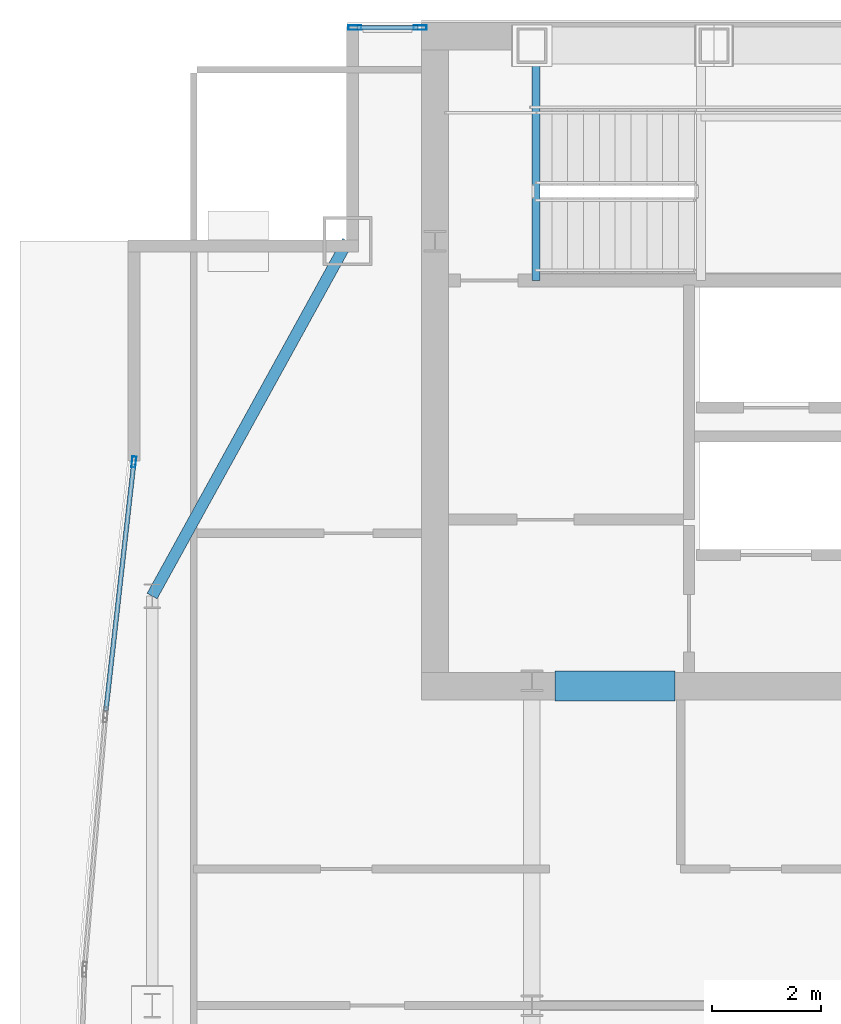
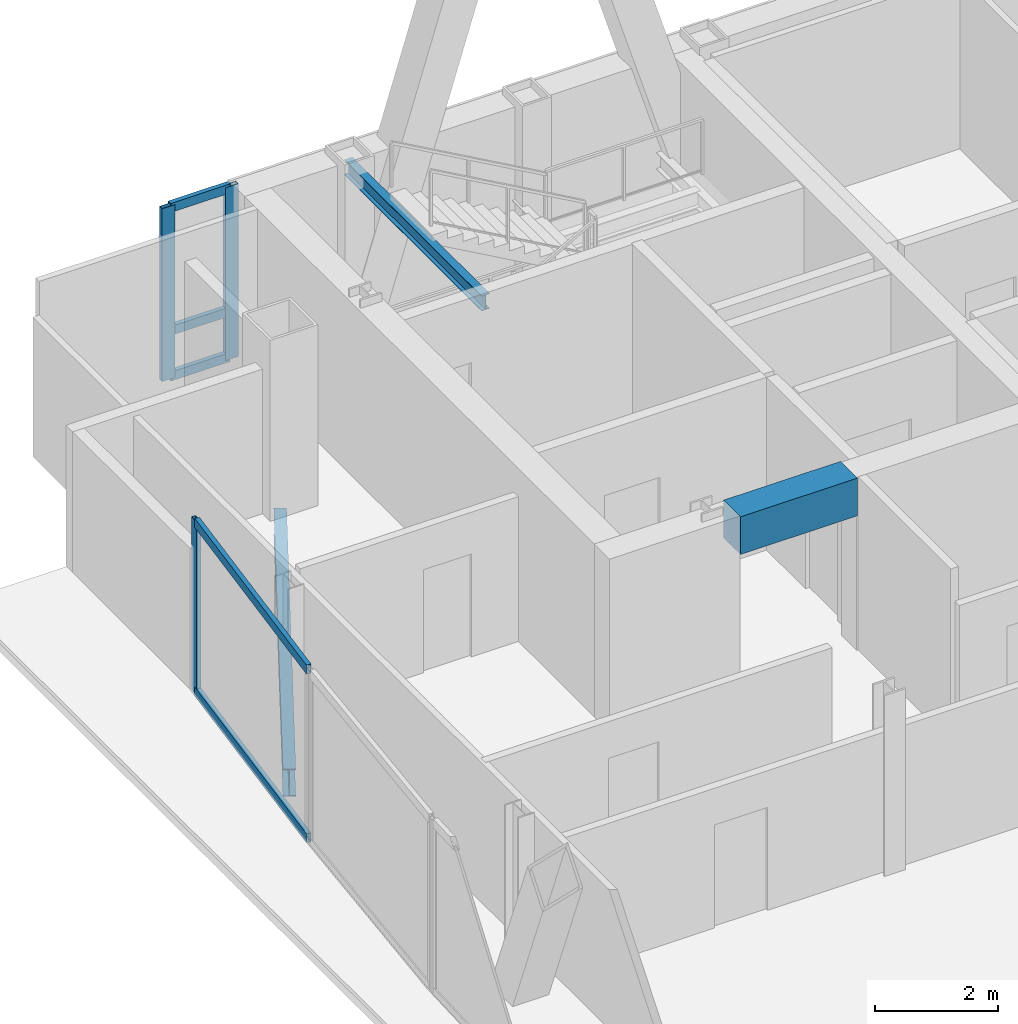
# One storey, part 18 of 28: 8 members, 3 beams, 2 elements without a shape of their own.
"""IFC4 building model written with IfcOpenShell, lengths in metres."""

from ifc_helpers import new_model, si_unit, direction, frame, origin, origin_2d, place, context, subcontext, project, spatial, rectangle, hollow_rectangle, i_section, extrude, material, material_profile, profile_set, type_object, element, aggregate, save


model = new_model("IFC4")

# Units and contexts
model_context = context("Model", 3, precision=1e-05, world=origin(), true_north=direction((0.0, 1.0)))
body_context = subcontext(model_context, "Body", "Model", "MODEL_VIEW")
ifc_project = project(units=[si_unit("LENGTHUNIT", "METRE"), si_unit("AREAUNIT", "SQUARE_METRE"), si_unit("VOLUMEUNIT", "CUBIC_METRE"), si_unit("PLANEANGLEUNIT", "RADIAN"), si_unit("MASSUNIT", "GRAM", prefix="KILO")], contexts=[model_context])

# Site, building, storey
site_placement = place(None, origin())
site = spatial("IfcSite", under=ifc_project, at=site_placement, CompositionType="ELEMENT")
building_placement = place(site_placement, origin())
building = spatial("IfcBuilding", under=site, at=building_placement, Name="Khoronbel Lancet Exchange", CompositionType="ELEMENT")
storey_placement = place(building_placement, frame((0.0, 0.0, 291.39990234375)))
storey = spatial("IfcBuildingStorey", under=building, at=storey_placement, Name="L75", CompositionType="ELEMENT", Elevation=291.39990234375)

# Beams
ifc_material_1 = material(Name="Steel S355", Category="steel")
ifc_material_profile_1 = material_profile(ifc_material_1, i_section(OverallWidth=0.14990234375, OverallDepth=0.300048828125, WebThickness=0.007080078125, FlangeThickness=0.0107421875, at=origin_2d()), Name="IPE 300")
ifc_profile_set_1 = profile_set([ifc_material_profile_1], Name="Steel S355")
beam_type_1 = type_object("IfcBeamType", Name="BM-BJ8", PredefinedType="JOIST", material=ifc_profile_set_1)
beam_1_placement = place(storey_placement, frame((18.300048828125, 48.97998046875, 3.16015625), z_axis=(0.0, 1.0, 0.0), x_axis=(-1.0, 0.0, 0.0)))
element("IfcBeam", 1, at=beam_1_placement, inside=storey, type_object=beam_type_1, Name="Level L75 stair ST1 upper-flight arrival trimmer beam", PredefinedType="JOIST", context=body_context, shape_type="SweptSolid", body=[
    extrude(i_section(OverallWidth=0.14990234375, OverallDepth=0.300048828125, WebThickness=0.007080078125, FlangeThickness=0.0107421875, at=origin_2d()), origin(), (0.0, 0.0, 1.0), 4.469970703125),
])
ifc_material_2 = material(Name="Concrete C60/75", Category="concrete")
ifc_material_profile_2 = material_profile(ifc_material_2, rectangle(XDim=0.550048828125, YDim=0.75, at=origin_2d()), Name="RC 550x750")
ifc_profile_set_2 = profile_set([ifc_material_profile_2], Name="Concrete C60/75")
beam_type_2 = type_object("IfcBeamType", Name="BM-BL2", PredefinedType="LINTEL", material=ifc_profile_set_2)
beam_2_placement = place(storey_placement, frame((18.64990234375, 41.550048828125, 3.065185546875), z_axis=(1.0, 0.0, 0.0), x_axis=(0.0, 1.0, 0.0)))
element("IfcBeam", 2, at=beam_2_placement, inside=storey, type_object=beam_type_2, Name="Level L75 rear core coupling lintel L1", PredefinedType="LINTEL", context=body_context, shape_type="SweptSolid", body=[
    extrude(rectangle(XDim=0.550048828125, YDim=0.75, at=origin_2d()), origin(), (0.0, 0.0, 1.0), 2.2001953125),
])
ifc_material_profile_3 = material_profile(ifc_material_1, i_section(OverallWidth=0.2099609375, OverallDepth=0.550048828125, WebThickness=0.010986328125, FlangeThickness=0.01708984375, at=origin_2d()), Name="IPE 550")
ifc_profile_set_3 = profile_set([ifc_material_profile_3], Name="Steel S355")
beam_type_3 = type_object("IfcBeamType", Name="BM-BSP3", PredefinedType="SPANDREL", material=ifc_profile_set_3)
beam_3_placement = place(storey_placement, frame((14.85009765625, 49.699951171875, -0.434814453125), z_axis=(-0.482444051088, -0.875926787791, 0.0), x_axis=(0.875926787791, -0.482444051088, 0.0)))
element("IfcBeam", 3, at=beam_3_placement, inside=storey, type_object=beam_type_3, Name="Level L75 perimeter spandrel beam SP14", PredefinedType="SPANDREL", context=body_context, shape_type="SweptSolid", body=[
    extrude(i_section(OverallWidth=0.2099609375, OverallDepth=0.550048828125, WebThickness=0.010986328125, FlangeThickness=0.01708984375, at=origin_2d()), origin(), (0.0, 0.0, 1.0), 7.420654296875),
])

# Curtain wall, members
ifc_material_3 = material(Name="Low-E Solar Control Insulating Glass", Category="glass")
curtain_wall_type_1 = type_object("IfcCurtainWallType", Name="CW-3", PredefinedType="NOTDEFINED", material=ifc_material_3)
curtain_wall_1_placement = place(storey_placement, origin())
curtain_wall_1 = element("IfcCurtainWall", 4, at=curtain_wall_1_placement, inside=storey, type_object=curtain_wall_type_1, Name="Unitised curtain wall CW-L75-NWFLK", PredefinedType="NOTDEFINED")
ifc_material_4 = material(Name="Bronze-Anodised Aluminium 6063-T6", Category="aluminium")
ifc_material_profile_4 = material_profile(ifc_material_4, hollow_rectangle(XDim=0.0849609375, YDim=0.239990234375, WallThickness=0.006103515625, at=origin_2d()), Name="ALU MULLION 85x240")
ifc_profile_set_4 = profile_set([ifc_material_profile_4], Name="Bronze-Anodised Aluminium 6063-T6")
member_type_1 = type_object("IfcMemberType", Name="MEM-CWM1", PredefinedType="MULLION", material=ifc_profile_set_4)
member_1_placement = place(storey_placement, frame((16.177490234375, 53.610107421875, 0.0), z_axis=(0.0, 0.0, 1.0), x_axis=(0.0, -1.0, 0.0)))
member_1 = element("IfcMember", 5, at=member_1_placement, type_object=member_type_1, Name="CW3 mullion 1", PredefinedType="MULLION", context=body_context, shape_type="SweptSolid", body=[
    extrude(hollow_rectangle(XDim=0.0849609375, YDim=0.239990234375, WallThickness=0.006103515625, at=origin_2d()), origin(), (0.0, 0.0, 1.0), 3.440185546875),
])
member_2_placement = place(storey_placement, frame((14.982421875, 53.610107421875, 0.0), z_axis=(0.0, 0.0, 1.0), x_axis=(0.0, -1.0, 0.0)))
member_2 = element("IfcMember", 6, at=member_2_placement, type_object=member_type_1, Name="CW3 mullion 2", PredefinedType="MULLION", context=body_context, shape_type="SweptSolid", body=[
    extrude(hollow_rectangle(XDim=0.0849609375, YDim=0.239990234375, WallThickness=0.006103515625, at=origin_2d()), origin(), (0.0, 0.0, 1.0), 3.440185546875),
])

curtain_wall_type_2 = type_object("IfcCurtainWallType", Name="CW-4", PredefinedType="NOTDEFINED", material=ifc_material_3)
curtain_wall_2_placement = place(storey_placement, origin())
curtain_wall_2 = element("IfcCurtainWall", 7, at=curtain_wall_2_placement, inside=storey, type_object=curtain_wall_type_2, Name="Unitised curtain wall CW-L75-E09", PredefinedType="NOTDEFINED")
ifc_material_profile_5 = material_profile(ifc_material_4, hollow_rectangle(XDim=0.074951171875, YDim=0.199951171875, WallThickness=0.0048828125, at=origin_2d()), Name="ALU MULLION 75x200")
ifc_profile_set_5 = profile_set([ifc_material_profile_5], Name="Bronze-Anodised Aluminium 6063-T6")
member_type_2 = type_object("IfcMemberType", Name="MEM-CWM2", PredefinedType="MULLION", material=ifc_profile_set_5)
member_3_placement = place(storey_placement, frame((10.935791015625, 45.65771484375, 0.0), z_axis=(0.0, 0.0, 1.0), x_axis=(-0.993731788903, 0.111790570813, 0.0)))
member_3 = element("IfcMember", 8, at=member_3_placement, type_object=member_type_2, Name="CW4 mullion 2", PredefinedType="MULLION", context=body_context, shape_type="SweptSolid", body=[
    extrude(hollow_rectangle(XDim=0.074951171875, YDim=0.199951171875, WallThickness=0.0048828125, at=origin_2d()), origin(), (0.0, 0.0, 1.0), 3.440185546875),
])
ifc_material_profile_6 = material_profile(ifc_material_4, hollow_rectangle(XDim=0.0849609375, YDim=0.179931640625, WallThickness=0.0048828125, at=origin_2d()), Name="ALU TRANSOM 85x180")
ifc_profile_set_6 = profile_set([ifc_material_profile_6], Name="Bronze-Anodised Aluminium 6063-T6")
member_type_3 = type_object("IfcMemberType", Name="MEM-CWT1", PredefinedType="USERDEFINED", material=ifc_profile_set_6)
member_4_placement = place(storey_placement, frame((10.423095703125, 41.09912109375, 0.04248046875), z_axis=(0.111774239585, 0.993733625961, 0.0), x_axis=(-0.993733625961, 0.111774239585, 0.0)))
member_4 = element("IfcMember", 9, at=member_4_placement, type_object=member_type_3, Name="CW4 transom 1.1", ObjectType="TRANSOM", PredefinedType="USERDEFINED", context=body_context, shape_type="SweptSolid", body=[
    extrude(hollow_rectangle(XDim=0.0849609375, YDim=0.179931640625, WallThickness=0.0048828125, at=origin_2d()), origin(), (0.0, 0.0, 1.0), 4.5498046875),
])
member_5_placement = place(storey_placement, frame((10.423095703125, 41.09912109375, 3.397705078125), z_axis=(0.111774239585, 0.993733625961, 0.0), x_axis=(-0.993733625961, 0.111774239585, 0.0)))
member_5 = element("IfcMember", 10, at=member_5_placement, type_object=member_type_3, Name="CW4 transom 1.2", ObjectType="TRANSOM", PredefinedType="USERDEFINED", context=body_context, shape_type="SweptSolid", body=[
    extrude(hollow_rectangle(XDim=0.0849609375, YDim=0.179931640625, WallThickness=0.0048828125, at=origin_2d()), origin(), (0.0, 0.0, 1.0), 4.5498046875),
])
aggregate(curtain_wall_2, [member_3, member_4, member_5])

# Member
member_6_placement = place(storey_placement, frame((16.135009765625, 53.610107421875, 0.04248046875), z_axis=(-1.0, 0.0, 0.0), x_axis=(0.0, -1.0, 0.0)))
member_6 = element("IfcMember", 11, at=member_6_placement, type_object=member_type_3, Name="CW3 transom 1.1", ObjectType="TRANSOM", PredefinedType="USERDEFINED", context=body_context, shape_type="SweptSolid", body=[
    extrude(hollow_rectangle(XDim=0.0849609375, YDim=0.179931640625, WallThickness=0.0048828125, at=origin_2d()), origin(), (0.0, 0.0, 1.0), 1.110107421875),
])

member_7_placement = place(storey_placement, frame((16.135009765625, 53.610107421875, 0.9501953125), z_axis=(-1.0, 0.0, 0.0), x_axis=(0.0, -1.0, 0.0)))
member_7 = element("IfcMember", 12, at=member_7_placement, type_object=member_type_3, Name="CW3 transom 1.2", ObjectType="TRANSOM", PredefinedType="USERDEFINED", context=body_context, shape_type="SweptSolid", body=[
    extrude(hollow_rectangle(XDim=0.0849609375, YDim=0.179931640625, WallThickness=0.0048828125, at=origin_2d()), origin(), (0.0, 0.0, 1.0), 1.110107421875),
])

member_8_placement = place(storey_placement, frame((16.135009765625, 53.610107421875, 3.397705078125), z_axis=(-1.0, 0.0, 0.0), x_axis=(0.0, -1.0, 0.0)))
member_8 = element("IfcMember", 13, at=member_8_placement, type_object=member_type_3, Name="CW3 transom 1.3", ObjectType="TRANSOM", PredefinedType="USERDEFINED", context=body_context, shape_type="SweptSolid", body=[
    extrude(hollow_rectangle(XDim=0.0849609375, YDim=0.179931640625, WallThickness=0.0048828125, at=origin_2d()), origin(), (0.0, 0.0, 1.0), 1.110107421875),
])

aggregate(curtain_wall_1, [member_1, member_2, member_6, member_7, member_8])

save(model, "model.ifc")
